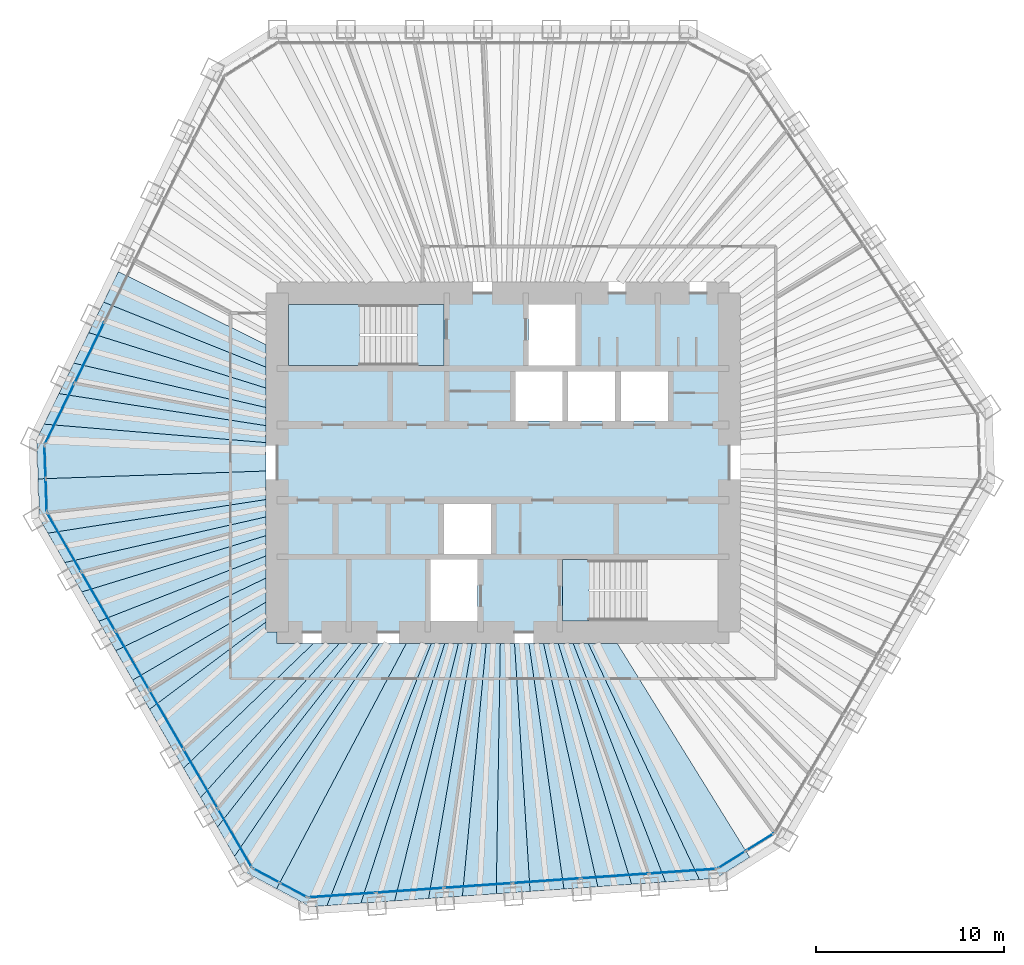
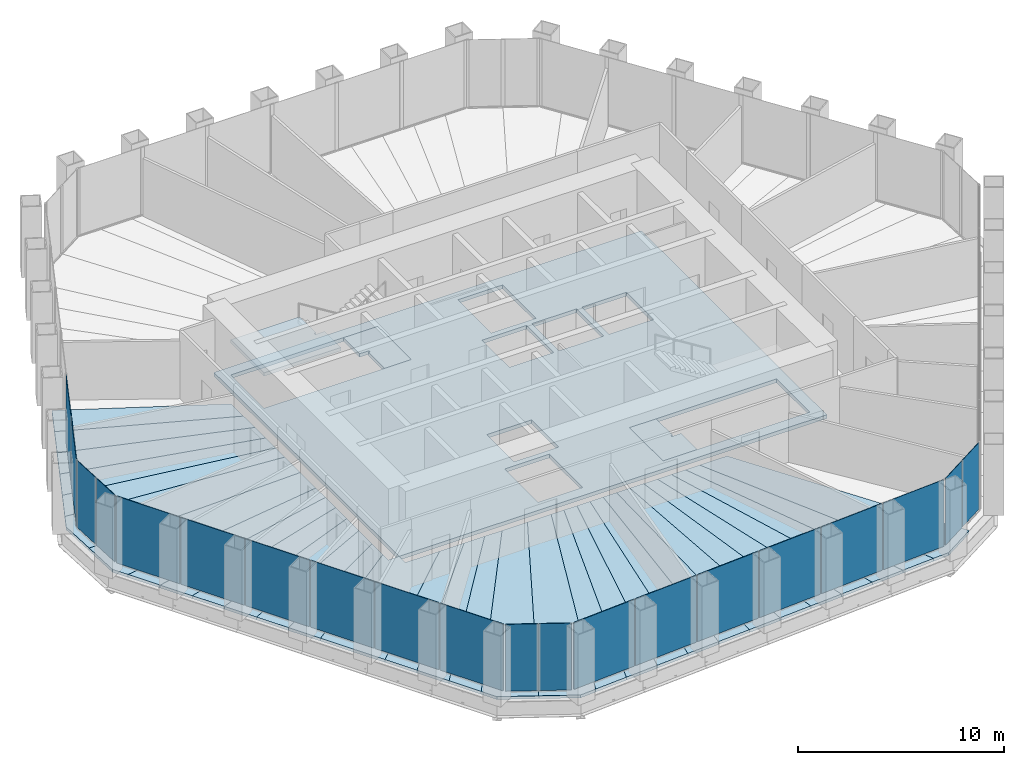
# One storey, part 8 of 14: 35 slabs, 20 plates, 8 elements without a shape of their own.
"""IFC4 building model written with IfcOpenShell, lengths in metres."""

from ifc_helpers import new_model, si_unit, direction, frame, origin, origin_2d, place, context, subcontext, project, spatial, polyline, rectangle, outline, extrude, material, layer, layer_set, type_object, element, aggregate, save


model = new_model("IFC4")

# Units and contexts
model_context = context("Model", 3, precision=1e-05, world=origin(), true_north=direction((0.0, 1.0)))
body_context = subcontext(model_context, "Body", "Model", "MODEL_VIEW")
ifc_project = project(units=[si_unit("LENGTHUNIT", "METRE"), si_unit("AREAUNIT", "SQUARE_METRE"), si_unit("VOLUMEUNIT", "CUBIC_METRE"), si_unit("PLANEANGLEUNIT", "RADIAN"), si_unit("MASSUNIT", "GRAM", prefix="KILO")], contexts=[model_context])

# Site, building, storey
site_placement = place(None, origin())
site = spatial("IfcSite", under=ifc_project, at=site_placement, CompositionType="ELEMENT")
building_placement = place(site_placement, origin())
building = spatial("IfcBuilding", under=site, at=building_placement, Name="Qingtian Harvest Tower", CompositionType="ELEMENT")
storey_placement = place(building_placement, frame((0.0, 0.0, 243.39990234375)))
storey = spatial("IfcBuildingStorey", under=building, at=storey_placement, Name="L53", CompositionType="ELEMENT", Elevation=243.39990234375)

# Slabs
ifc_material_1 = material(Name="Concrete fc' 35 MPa", Category="concrete")
ifc_layer_1 = layer(ifc_material_1, 0.169921875)
ifc_layer_set_1 = layer_set([ifc_layer_1], Name="Composite floor slab FS17 170")
slab_type_1 = type_object("IfcSlabType", Name="Composite floor slab FS17 170", PredefinedType="FLOOR", material=ifc_layer_set_1)
slab_1_placement = place(storey_placement, frame((0.0, 0.0, -0.169921875)))
element("IfcSlab", 1, at=slab_1_placement, inside=storey, type_object=slab_type_1, Name="Floor slab L53 panel D01", PredefinedType="FLOOR", context=body_context, shape_type="SweptSolid", body=[
    extrude(outline(polyline([(-24.6865234375, -0.862060546875), (-12.60009765625, -0.443115234375), (-12.60009765625, -1.958984375), (-24.17236328125, -3.742431640625), (-24.612548828125, -2.979736328125), (-24.6865234375, -0.862060546875)])), origin(), (0.0, 0.0, 1.0), 0.169921875),
])
slab_2_placement = place(storey_placement, frame((0.0, 0.0, -0.169921875)))
element("IfcSlab", 2, at=slab_2_placement, inside=storey, type_object=slab_type_1, Name="Floor slab L53 panel D02", PredefinedType="FLOOR", context=body_context, shape_type="SweptSolid", body=[
    extrude(outline(polyline([(-12.60009765625, -2.880126953125), (-23.271484375, -5.302490234375), (-24.17236328125, -3.742431640625), (-12.60009765625, -1.958984375), (-12.60009765625, -2.880126953125)])), origin(), (0.0, 0.0, 1.0), 0.169921875),
])
slab_3_placement = place(storey_placement, frame((0.0, 0.0, -0.169921875)))
element("IfcSlab", 3, at=slab_3_placement, inside=storey, type_object=slab_type_1, Name="Floor slab L53 panel D03", PredefinedType="FLOOR", context=body_context, shape_type="SweptSolid", body=[
    extrude(outline(polyline([(-12.60009765625, -3.87548828125), (-22.370849609375, -6.862548828125), (-23.271484375, -5.302490234375), (-12.60009765625, -2.880126953125), (-12.60009765625, -3.87548828125)])), origin(), (0.0, 0.0, 1.0), 0.169921875),
])
slab_4_placement = place(storey_placement, frame((0.0, 0.0, -0.169921875)))
element("IfcSlab", 4, at=slab_4_placement, inside=storey, type_object=slab_type_1, Name="Floor slab L53 panel D04", PredefinedType="FLOOR", context=body_context, shape_type="SweptSolid", body=[
    extrude(outline(polyline([(-12.60009765625, -4.95458984375), (-21.47021484375, -8.422607421875), (-22.370849609375, -6.862548828125), (-12.60009765625, -3.87548828125), (-12.60009765625, -4.95458984375)])), origin(), (0.0, 0.0, 1.0), 0.169921875),
])
slab_5_placement = place(storey_placement, frame((0.0, 0.0, -0.169921875)))
element("IfcSlab", 5, at=slab_5_placement, inside=storey, type_object=slab_type_1, Name="Floor slab L53 panel D05", PredefinedType="FLOOR", context=body_context, shape_type="SweptSolid", body=[
    extrude(outline(polyline([(-12.60009765625, -6.128173828125), (-20.569580078125, -9.982666015625), (-21.47021484375, -8.422607421875), (-12.60009765625, -4.95458984375), (-12.60009765625, -6.128173828125)])), origin(), (0.0, 0.0, 1.0), 0.169921875),
])
slab_6_placement = place(storey_placement, frame((0.0, 0.0, -0.169921875)))
element("IfcSlab", 6, at=slab_6_placement, inside=storey, type_object=slab_type_1, Name="Floor slab L53 panel D06", PredefinedType="FLOOR", context=body_context, shape_type="SweptSolid", body=[
    extrude(outline(polyline([(-12.60009765625, -7.409423828125), (-19.668701171875, -11.542724609375), (-20.569580078125, -9.982666015625), (-12.60009765625, -6.128173828125), (-12.60009765625, -7.409423828125)])), origin(), (0.0, 0.0, 1.0), 0.169921875),
])
slab_7_placement = place(storey_placement, frame((0.0, 0.0, -0.169921875)))
element("IfcSlab", 7, at=slab_7_placement, inside=storey, type_object=slab_type_1, Name="Floor slab L53 panel D07", PredefinedType="FLOOR", context=body_context, shape_type="SweptSolid", body=[
    extrude(outline(polyline([(-12.60009765625, -8.46435546875), (-18.771728515625, -13.0966796875), (-19.668701171875, -11.542724609375), (-12.60009765625, -7.409423828125), (-12.60009765625, -8.46435546875)])), origin(), (0.0, 0.0, 1.0), 0.169921875),
])
slab_8_placement = place(storey_placement, frame((0.0, 0.0, -0.169921875)))
element("IfcSlab", 8, at=slab_8_placement, inside=storey, type_object=slab_type_1, Name="Floor slab L53 panel D09", PredefinedType="FLOOR", context=body_context, shape_type="SweptSolid", body=[
    extrude(outline(polyline([(-16.967041015625, -16.22216796875), (-18.771728515625, -13.0966796875), (-12.60009765625, -8.46435546875), (-12.60009765625, -9.0), (-12.0, -9.0), (-12.0, -9.60009765625), (-10.07666015625, -9.60009765625), (-16.967041015625, -16.22216796875)])), origin(), (0.0, 0.0, 1.0), 0.169921875),
])
slab_9_placement = place(storey_placement, frame((0.0, 0.0, -0.169921875)))
element("IfcSlab", 9, at=slab_9_placement, inside=storey, type_object=slab_type_1, Name="Floor slab L53 panel D10", PredefinedType="FLOOR", context=body_context, shape_type="SweptSolid", body=[
    extrude(outline(polyline([(-8.700927734375, -9.60009765625), (-16.06640625, -17.7822265625), (-16.967041015625, -16.22216796875), (-10.07666015625, -9.60009765625), (-8.700927734375, -9.60009765625)])), origin(), (0.0, 0.0, 1.0), 0.169921875),
])
slab_10_placement = place(storey_placement, frame((0.0, 0.0, -0.169921875)))
element("IfcSlab", 10, at=slab_10_placement, inside=storey, type_object=slab_type_1, Name="Floor slab L53 panel D11", PredefinedType="FLOOR", context=body_context, shape_type="SweptSolid", body=[
    extrude(outline(polyline([(-7.548095703125, -9.60009765625), (-15.16552734375, -19.34228515625), (-16.06640625, -17.7822265625), (-8.700927734375, -9.60009765625), (-7.548095703125, -9.60009765625)])), origin(), (0.0, 0.0, 1.0), 0.169921875),
])
slab_11_placement = place(storey_placement, frame((0.0, 0.0, -0.169921875)))
element("IfcSlab", 11, at=slab_11_placement, inside=storey, type_object=slab_type_1, Name="Floor slab L53 panel D12", PredefinedType="FLOOR", context=body_context, shape_type="SweptSolid", body=[
    extrude(outline(polyline([(-6.568359375, -9.60009765625), (-14.264892578125, -20.90234375), (-15.16552734375, -19.34228515625), (-7.548095703125, -9.60009765625), (-6.568359375, -9.60009765625)])), origin(), (0.0, 0.0, 1.0), 0.169921875),
])
slab_12_placement = place(storey_placement, frame((0.0, 0.0, -0.169921875)))
element("IfcSlab", 12, at=slab_12_placement, inside=storey, type_object=slab_type_1, Name="Floor slab L53 panel D13", PredefinedType="FLOOR", context=body_context, shape_type="SweptSolid", body=[
    extrude(outline(polyline([(-6.568359375, -9.60009765625), (-5.14501953125, -9.60009765625), (-12.028076171875, -22.620361328125), (-13.82470703125, -21.6650390625), (-14.264892578125, -20.90234375), (-6.568359375, -9.60009765625)])), origin(), (0.0, 0.0, 1.0), 0.169921875),
])
slab_13_placement = place(storey_placement, frame((0.0, 0.0, -0.169921875)))
element("IfcSlab", 13, at=slab_13_placement, inside=storey, type_object=slab_type_1, Name="Floor slab L53 panel D14", PredefinedType="FLOOR", context=body_context, shape_type="SweptSolid", body=[
    extrude(outline(polyline([(-5.14501953125, -9.60009765625), (-3.817138671875, -9.60009765625), (-9.352294921875, -23.5146484375), (-10.23046875, -23.576171875), (-12.028076171875, -22.620361328125), (-5.14501953125, -9.60009765625)])), origin(), (0.0, 0.0, 1.0), 0.169921875),
])
slab_14_placement = place(storey_placement, frame((0.0, 0.0, -0.169921875)))
element("IfcSlab", 14, at=slab_14_placement, inside=storey, type_object=slab_type_1, Name="Floor slab L53 panel D15", PredefinedType="FLOOR", context=body_context, shape_type="SweptSolid", body=[
    extrude(outline(polyline([(-3.10009765625, -9.60009765625), (-7.55517578125, -23.388916015625), (-9.352294921875, -23.5146484375), (-3.817138671875, -9.60009765625), (-3.10009765625, -9.60009765625)])), origin(), (0.0, 0.0, 1.0), 0.169921875),
])
slab_15_placement = place(storey_placement, frame((0.0, 0.0, -0.169921875)))
element("IfcSlab", 15, at=slab_15_placement, inside=storey, type_object=slab_type_1, Name="Floor slab L53 panel D16", PredefinedType="FLOOR", context=body_context, shape_type="SweptSolid", body=[
    extrude(outline(polyline([(-2.375244140625, -9.60009765625), (-5.75830078125, -23.263427734375), (-7.55517578125, -23.388916015625), (-3.10009765625, -9.60009765625), (-2.375244140625, -9.60009765625)])), origin(), (0.0, 0.0, 1.0), 0.169921875),
])
slab_16_placement = place(storey_placement, frame((0.0, 0.0, -0.169921875)))
element("IfcSlab", 16, at=slab_16_placement, inside=storey, type_object=slab_type_1, Name="Floor slab L53 panel D17", PredefinedType="FLOOR", context=body_context, shape_type="SweptSolid", body=[
    extrude(outline(polyline([(-1.642578125, -9.60009765625), (-3.96142578125, -23.1376953125), (-5.75830078125, -23.263427734375), (-2.375244140625, -9.60009765625), (-1.642578125, -9.60009765625)])), origin(), (0.0, 0.0, 1.0), 0.169921875),
])
slab_17_placement = place(storey_placement, frame((0.0, 0.0, -0.169921875)))
element("IfcSlab", 17, at=slab_17_placement, inside=storey, type_object=slab_type_1, Name="Floor slab L53 panel D18", PredefinedType="FLOOR", context=body_context, shape_type="SweptSolid", body=[
    extrude(outline(polyline([(-0.90185546875, -9.60009765625), (-2.164306640625, -23.011962890625), (-3.96142578125, -23.1376953125), (-1.642578125, -9.60009765625), (-0.90185546875, -9.60009765625)])), origin(), (0.0, 0.0, 1.0), 0.169921875),
])
slab_18_placement = place(storey_placement, frame((0.0, 0.0, -0.169921875)))
element("IfcSlab", 18, at=slab_18_placement, inside=storey, type_object=slab_type_1, Name="Floor slab L53 panel D19", PredefinedType="FLOOR", context=body_context, shape_type="SweptSolid", body=[
    extrude(outline(polyline([(-0.153076171875, -9.60009765625), (-0.367431640625, -22.886474609375), (-2.164306640625, -23.011962890625), (-0.90185546875, -9.60009765625), (-0.153076171875, -9.60009765625)])), origin(), (0.0, 0.0, 1.0), 0.169921875),
])
slab_19_placement = place(storey_placement, frame((0.0, 0.0, -0.169921875)))
element("IfcSlab", 19, at=slab_19_placement, inside=storey, type_object=slab_type_1, Name="Floor slab L53 panel D20", PredefinedType="FLOOR", context=body_context, shape_type="SweptSolid", body=[
    extrude(outline(polyline([(0.60400390625, -9.60009765625), (1.4296875, -22.7607421875), (-0.367431640625, -22.886474609375), (-0.153076171875, -9.60009765625), (0.60400390625, -9.60009765625)])), origin(), (0.0, 0.0, 1.0), 0.169921875),
])
slab_20_placement = place(storey_placement, frame((0.0, 0.0, -0.169921875)))
element("IfcSlab", 20, at=slab_20_placement, inside=storey, type_object=slab_type_1, Name="Floor slab L53 panel D21", PredefinedType="FLOOR", context=body_context, shape_type="SweptSolid", body=[
    extrude(outline(polyline([(1.36962890625, -9.60009765625), (3.2265625, -22.635009765625), (1.4296875, -22.7607421875), (0.60400390625, -9.60009765625), (1.36962890625, -9.60009765625)])), origin(), (0.0, 0.0, 1.0), 0.169921875),
])
slab_21_placement = place(storey_placement, frame((0.0, 0.0, -0.169921875)))
element("IfcSlab", 21, at=slab_21_placement, inside=storey, type_object=slab_type_1, Name="Floor slab L53 panel D22", PredefinedType="FLOOR", context=body_context, shape_type="SweptSolid", body=[
    extrude(outline(polyline([(2.1435546875, -9.60009765625), (5.023681640625, -22.509521484375), (3.2265625, -22.635009765625), (1.36962890625, -9.60009765625), (2.1435546875, -9.60009765625)])), origin(), (0.0, 0.0, 1.0), 0.169921875),
])
slab_22_placement = place(storey_placement, frame((0.0, 0.0, -0.169921875)))
element("IfcSlab", 22, at=slab_22_placement, inside=storey, type_object=slab_type_1, Name="Floor slab L53 panel D23", PredefinedType="FLOOR", context=body_context, shape_type="SweptSolid", body=[
    extrude(outline(polyline([(2.92626953125, -9.60009765625), (6.820556640625, -22.3837890625), (5.023681640625, -22.509521484375), (2.1435546875, -9.60009765625), (2.92626953125, -9.60009765625)])), origin(), (0.0, 0.0, 1.0), 0.169921875),
])
slab_23_placement = place(storey_placement, frame((0.0, 0.0, -0.169921875)))
element("IfcSlab", 23, at=slab_23_placement, inside=storey, type_object=slab_type_1, Name="Floor slab L53 panel D24", PredefinedType="FLOOR", context=body_context, shape_type="SweptSolid", body=[
    extrude(outline(polyline([(3.718017578125, -9.60009765625), (8.61767578125, -22.258056640625), (6.820556640625, -22.3837890625), (2.92626953125, -9.60009765625), (3.718017578125, -9.60009765625)])), origin(), (0.0, 0.0, 1.0), 0.169921875),
])
slab_24_placement = place(storey_placement, frame((0.0, 0.0, -0.169921875)))
element("IfcSlab", 24, at=slab_24_placement, inside=storey, type_object=slab_type_1, Name="Floor slab L53 panel D25", PredefinedType="FLOOR", context=body_context, shape_type="SweptSolid", body=[
    extrude(outline(polyline([(4.5185546875, -9.60009765625), (10.41455078125, -22.13232421875), (8.61767578125, -22.258056640625), (3.718017578125, -9.60009765625), (4.5185546875, -9.60009765625)])), origin(), (0.0, 0.0, 1.0), 0.169921875),
])
slab_25_placement = place(storey_placement, frame((0.0, 0.0, -0.169921875)))
element("IfcSlab", 25, at=slab_25_placement, inside=storey, type_object=slab_type_1, Name="Floor slab L53 panel D26", PredefinedType="FLOOR", context=body_context, shape_type="SweptSolid", body=[
    extrude(outline(polyline([(4.5185546875, -9.60009765625), (6.059326171875, -9.60009765625), (13.090576171875, -20.94775390625), (11.292724609375, -22.071044921875), (10.41455078125, -22.13232421875), (4.5185546875, -9.60009765625)])), origin(), (0.0, 0.0, 1.0), 0.169921875),
])
slab_26_placement = place(storey_placement, frame((0.0, 0.0, -0.169921875)))
element("IfcSlab", 26, at=slab_26_placement, inside=storey, type_object=slab_type_1, Name="Floor slab L53 panel D73", PredefinedType="FLOOR", context=body_context, shape_type="SweptSolid", body=[
    extrude(outline(polyline([(-12.60009765625, 5.072509765625), (-21.2158203125, 8.5234375), (-20.426025390625, 10.142578125), (-12.60009765625, 6.268310546875), (-12.60009765625, 5.072509765625)])), origin(), (0.0, 0.0, 1.0), 0.169921875),
])
slab_27_placement = place(storey_placement, frame((0.0, 0.0, -0.169921875)))
element("IfcSlab", 27, at=slab_27_placement, inside=storey, type_object=slab_type_1, Name="Floor slab L53 panel D74", PredefinedType="FLOOR", context=body_context, shape_type="SweptSolid", body=[
    extrude(outline(polyline([(-12.60009765625, 3.962890625), (-22.00537109375, 6.904296875), (-21.2158203125, 8.5234375), (-12.60009765625, 5.072509765625), (-12.60009765625, 3.962890625)])), origin(), (0.0, 0.0, 1.0), 0.169921875),
])
slab_28_placement = place(storey_placement, frame((0.0, 0.0, -0.169921875)))
element("IfcSlab", 28, at=slab_28_placement, inside=storey, type_object=slab_type_1, Name="Floor slab L53 panel D75", PredefinedType="FLOOR", context=body_context, shape_type="SweptSolid", body=[
    extrude(outline(polyline([(-12.60009765625, 2.929931640625), (-22.795166015625, 5.28515625), (-22.00537109375, 6.904296875), (-12.60009765625, 3.962890625), (-12.60009765625, 2.929931640625)])), origin(), (0.0, 0.0, 1.0), 0.169921875),
])
slab_29_placement = place(storey_placement, frame((0.0, 0.0, -0.169921875)))
element("IfcSlab", 29, at=slab_29_placement, inside=storey, type_object=slab_type_1, Name="Floor slab L53 panel D76", PredefinedType="FLOOR", context=body_context, shape_type="SweptSolid", body=[
    extrude(outline(polyline([(-12.60009765625, 1.96630859375), (-23.584716796875, 3.666259765625), (-22.795166015625, 5.28515625), (-12.60009765625, 2.929931640625), (-12.60009765625, 1.96630859375)])), origin(), (0.0, 0.0, 1.0), 0.169921875),
])
slab_30_placement = place(storey_placement, frame((0.0, 0.0, -0.169921875)))
element("IfcSlab", 30, at=slab_30_placement, inside=storey, type_object=slab_type_1, Name="Floor slab L53 panel D77", PredefinedType="FLOOR", context=body_context, shape_type="SweptSolid", body=[
    extrude(outline(polyline([(-12.60009765625, 1.065185546875), (-24.37451171875, 2.047119140625), (-23.584716796875, 3.666259765625), (-12.60009765625, 1.96630859375), (-12.60009765625, 1.065185546875)])), origin(), (0.0, 0.0, 1.0), 0.169921875),
])
slab_31_placement = place(storey_placement, frame((0.0, 0.0, -0.169921875)))
element("IfcSlab", 31, at=slab_31_placement, inside=storey, type_object=slab_type_1, Name="Floor slab L53 panel D78", PredefinedType="FLOOR", context=body_context, shape_type="SweptSolid", body=[
    extrude(outline(polyline([(-12.60009765625, 1.065185546875), (-12.60009765625, -0.443115234375), (-24.6865234375, -0.862060546875), (-24.760498046875, 1.255615234375), (-24.37451171875, 2.047119140625), (-12.60009765625, 1.065185546875)])), origin(), (0.0, 0.0, 1.0), 0.169921875),
])
ifc_material_2 = material(Name="Concrete fc' 35 MPa", Category="concrete")
ifc_layer_2 = layer(ifc_material_2, 0.219970703125)
ifc_layer_set_2 = layer_set([ifc_layer_2], Name="Core floor slab CS22 220")
slab_type_2 = type_object("IfcSlabType", Name="Core floor slab CS22 220", PredefinedType="FLOOR", material=ifc_layer_set_2)
slab_32_placement = place(storey_placement, frame((0.0, 0.0, -0.219970703125)))
element("IfcSlab", 32, at=slab_32_placement, inside=storey, type_object=slab_type_2, Name="Core floor slab L53", PredefinedType="FLOOR", context=body_context, shape_type="SweptSolid", body=[
    extrude(outline(polyline([(-12.0, -9.0), (12.0, -9.0), (12.0, 9.0), (-12.0, 9.0), (-12.0, -9.0)]), holes=[polyline([(-11.39990234375, 5.14990234375), (-3.14990234375, 5.14990234375), (-3.14990234375, 8.39990234375), (-11.39990234375, 8.39990234375), (-11.39990234375, 5.14990234375)]), polyline([(3.14990234375, -8.39990234375), (11.39990234375, -8.39990234375), (11.39990234375, -5.14990234375), (3.14990234375, -5.14990234375), (3.14990234375, -8.39990234375)]), polyline([(1.35009765625, 5.14990234375), (3.85009765625, 5.14990234375), (3.85009765625, 8.39990234375), (1.35009765625, 8.39990234375), (1.35009765625, 5.14990234375)]), polyline([(-3.85009765625, -8.39990234375), (-1.35009765625, -8.39990234375), (-1.35009765625, -5.14990234375), (-3.85009765625, -5.14990234375), (-3.85009765625, -8.39990234375)]), polyline([(0.64990234375, 2.199951171875), (3.14990234375, 2.199951171875), (3.14990234375, 4.85009765625), (0.64990234375, 4.85009765625), (0.64990234375, 2.199951171875)]), polyline([(3.449951171875, 2.199951171875), (5.949951171875, 2.199951171875), (5.949951171875, 4.85009765625), (3.449951171875, 4.85009765625), (3.449951171875, 2.199951171875)]), polyline([(6.25, 2.199951171875), (8.75, 2.199951171875), (8.75, 4.85009765625), (6.25, 4.85009765625), (6.25, 2.199951171875)]), polyline([(-3.14990234375, -4.85009765625), (-0.64990234375, -4.85009765625), (-0.64990234375, -2.199951171875), (-3.14990234375, -2.199951171875), (-3.14990234375, -4.85009765625)])]), origin(), (0.0, 0.0, 1.0), 0.219970703125),
])

# Curtain wall, plates
ifc_material_3 = material(Name="Bronze-anodised aluminium curtain wall", Category="aluminium")
curtain_wall_type = type_object("IfcCurtainWallType", Name="Curtain wall CW4 office", PredefinedType="USERDEFINED", material=ifc_material_3)
curtain_wall_1_placement = place(storey_placement, origin())
curtain_wall_1 = element("IfcCurtainWall", 33, at=curtain_wall_1_placement, inside=storey, type_object=curtain_wall_type, Name="Curtain wall CW4 L53 SEC", ObjectType="RECESSED CURTAIN WALL", PredefinedType="USERDEFINED")
ifc_material_4 = material(Name="Bronze-tinted laminated insulating glass", Category="glass")
ifc_layer_3 = layer(ifc_material_4, 0.030029296875)
ifc_layer_set_3 = layer_set([ifc_layer_3], Name="Glazed panel CWP tinted IGU")
plate_type = type_object("IfcPlateType", Name="Glazed panel CWP tinted IGU", PredefinedType="CURTAIN_PANEL", material=ifc_layer_set_3)
plate_1_placement = place(storey_placement, frame((13.624755859375, -20.1455078125, 0.06494140625), z_axis=(0.0, 0.0, 1.0), x_axis=(-0.848048096156, -0.529919264233, 0.0)))
plate_1 = element("IfcPlate", 34, at=plate_1_placement, type_object=plate_type, Name="CW4 panel 1.1", PredefinedType="CURTAIN_PANEL", context=body_context, shape_type="SweptSolid", body=[
    extrude(rectangle(XDim=1.69287109375, YDim=0.030029296875, at=origin_2d()), origin(), (0.0, 0.0, 1.0), 3.965087890625),
])
plate_2_placement = place(storey_placement, frame((12.134033203125, -21.076904296875, 0.06494140625), z_axis=(0.0, 0.0, 1.0), x_axis=(-0.848048096156, -0.529919264233, 0.0)))
plate_2 = element("IfcPlate", 35, at=plate_2_placement, type_object=plate_type, Name="CW4 panel 2.1", PredefinedType="CURTAIN_PANEL", context=body_context, shape_type="SweptSolid", body=[
    extrude(rectangle(XDim=1.69287109375, YDim=0.030029296875, at=origin_2d()), origin(), (0.0, 0.0, 1.0), 3.965087890625),
])
aggregate(curtain_wall_1, [plate_1, plate_2])

curtain_wall_2_placement = place(storey_placement, origin())
curtain_wall_2 = element("IfcCurtainWall", 36, at=curtain_wall_2_placement, inside=storey, type_object=curtain_wall_type, Name="Curtain wall CW4 L53 S0-5", ObjectType="RECESSED CURTAIN WALL", PredefinedType="USERDEFINED")
plate_3_placement = place(storey_placement, frame((9.532470703125, -21.68798828125, 0.06494140625), z_axis=(0.0, 0.0, 1.0), x_axis=(-0.99756405026, -0.069756473744, 0.0)))
plate_3 = element("IfcPlate", 37, at=plate_3_placement, type_object=plate_type, Name="CW4 panel 1.1", PredefinedType="CURTAIN_PANEL", context=body_context, shape_type="SweptSolid", body=[
    extrude(rectangle(XDim=3.5361328125, YDim=0.030029296875, at=origin_2d()), origin(), (0.0, 0.0, 1.0), 3.965087890625),
])
plate_4_placement = place(storey_placement, frame((5.923828125, -21.940185546875, 0.06494140625), z_axis=(0.0, 0.0, 1.0), x_axis=(-0.99756405026, -0.069756473744, 0.0)))
plate_4 = element("IfcPlate", 38, at=plate_4_placement, type_object=plate_type, Name="CW4 panel 2.1", PredefinedType="CURTAIN_PANEL", context=body_context, shape_type="SweptSolid", body=[
    extrude(rectangle(XDim=3.568603515625, YDim=0.030029296875, at=origin_2d()), origin(), (0.0, 0.0, 1.0), 3.965087890625),
])
plate_5_placement = place(storey_placement, frame((2.299072265625, -22.193603515625, 0.06494140625), z_axis=(0.0, 0.0, 1.0), x_axis=(-0.99756405026, -0.069756473744, 0.0)))
plate_5 = element("IfcPlate", 39, at=plate_5_placement, type_object=plate_type, Name="CW4 panel 3.1", PredefinedType="CURTAIN_PANEL", context=body_context, shape_type="SweptSolid", body=[
    extrude(rectangle(XDim=3.568603515625, YDim=0.030029296875, at=origin_2d()), origin(), (0.0, 0.0, 1.0), 3.965087890625),
])
plate_6_placement = place(storey_placement, frame((-1.325439453125, -22.447021484375, 0.06494140625), z_axis=(0.0, 0.0, 1.0), x_axis=(-0.99756405026, -0.069756473744, 0.0)))
plate_6 = element("IfcPlate", 40, at=plate_6_placement, type_object=plate_type, Name="CW4 panel 4.1", PredefinedType="CURTAIN_PANEL", context=body_context, shape_type="SweptSolid", body=[
    extrude(rectangle(XDim=3.568603515625, YDim=0.030029296875, at=origin_2d()), origin(), (0.0, 0.0, 1.0), 3.965087890625),
])
plate_7_placement = place(storey_placement, frame((-4.9501953125, -22.70068359375, 0.06494140625), z_axis=(0.0, 0.0, 1.0), x_axis=(-0.99756405026, -0.069756473744, 0.0)))
plate_7 = element("IfcPlate", 41, at=plate_7_placement, type_object=plate_type, Name="CW4 panel 5.1", PredefinedType="CURTAIN_PANEL", context=body_context, shape_type="SweptSolid", body=[
    extrude(rectangle(XDim=3.568603515625, YDim=0.030029296875, at=origin_2d()), origin(), (0.0, 0.0, 1.0), 3.965087890625),
])
plate_8_placement = place(storey_placement, frame((-8.55859375, -22.952880859375, 0.06494140625), z_axis=(0.0, 0.0, 1.0), x_axis=(-0.99756405026, -0.069756473744, 0.0)))
plate_8 = element("IfcPlate", 42, at=plate_8_placement, type_object=plate_type, Name="CW4 panel 6.1", PredefinedType="CURTAIN_PANEL", context=body_context, shape_type="SweptSolid", body=[
    extrude(rectangle(XDim=3.5361328125, YDim=0.030029296875, at=origin_2d()), origin(), (0.0, 0.0, 1.0), 3.965087890625),
])
aggregate(curtain_wall_2, [plate_3, plate_4, plate_5, plate_6, plate_7, plate_8])

curtain_wall_3_placement = place(storey_placement, origin())
curtain_wall_3 = element("IfcCurtainWall", 43, at=curtain_wall_3_placement, inside=storey, type_object=curtain_wall_type, Name="Curtain wall CW4 L53 SC", ObjectType="RECESSED CURTAIN WALL", PredefinedType="USERDEFINED")
plate_9_placement = place(storey_placement, frame((-11.136474609375, -22.682373046875, 0.06494140625), z_axis=(0.0, 0.0, 1.0), x_axis=(-0.882947592859, 0.469471562786, 0.0)))
plate_9 = element("IfcPlate", 44, at=plate_9_placement, type_object=plate_type, Name="CW4 panel 1.1", PredefinedType="CURTAIN_PANEL", context=body_context, shape_type="SweptSolid", body=[
    extrude(rectangle(XDim=1.56689453125, YDim=0.030029296875, at=origin_2d()), origin(), (0.0, 0.0, 1.0), 3.965087890625),
])
plate_10_placement = place(storey_placement, frame((-12.5771484375, -21.916259765625, 0.06494140625), z_axis=(0.0, 0.0, 1.0), x_axis=(-0.882947592859, 0.469471562786, 0.0)))
plate_10 = element("IfcPlate", 45, at=plate_10_placement, type_object=plate_type, Name="CW4 panel 2.1", PredefinedType="CURTAIN_PANEL", context=body_context, shape_type="SweptSolid", body=[
    extrude(rectangle(XDim=1.56689453125, YDim=0.030029296875, at=origin_2d()), origin(), (0.0, 0.0, 1.0), 3.965087890625),
])
aggregate(curtain_wall_3, [plate_9, plate_10])

curtain_wall_4_placement = place(storey_placement, origin())
curtain_wall_4 = element("IfcCurtainWall", 46, at=curtain_wall_4_placement, inside=storey, type_object=curtain_wall_type, Name="Curtain wall CW4 L53 SW0-5", ObjectType="RECESSED CURTAIN WALL", PredefinedType="USERDEFINED")
plate_11_placement = place(storey_placement, frame((-14.242919921875, -19.9306640625, 0.06494140625), z_axis=(0.0, 0.0, 1.0), x_axis=(-0.5, 0.866025403784, 0.0)))
plate_11 = element("IfcPlate", 47, at=plate_11_placement, type_object=plate_type, Name="CW4 panel 1.1", PredefinedType="CURTAIN_PANEL", context=body_context, shape_type="SweptSolid", body=[
    extrude(rectangle(XDim=3.5361328125, YDim=0.030029296875, at=origin_2d()), origin(), (0.0, 0.0, 1.0), 3.965087890625),
])
plate_12_placement = place(storey_placement, frame((-16.051513671875, -16.7978515625, 0.06494140625), z_axis=(0.0, 0.0, 1.0), x_axis=(-0.5, 0.866025403784, 0.0)))
plate_12 = element("IfcPlate", 48, at=plate_12_placement, type_object=plate_type, Name="CW4 panel 2.1", PredefinedType="CURTAIN_PANEL", context=body_context, shape_type="SweptSolid", body=[
    extrude(rectangle(XDim=3.568603515625, YDim=0.030029296875, at=origin_2d()), origin(), (0.0, 0.0, 1.0), 3.965087890625),
])
plate_13_placement = place(storey_placement, frame((-17.868408203125, -13.651123046875, 0.06494140625), z_axis=(0.0, 0.0, 1.0), x_axis=(-0.5, 0.866025403784, 0.0)))
plate_13 = element("IfcPlate", 49, at=plate_13_placement, type_object=plate_type, Name="CW4 panel 3.1", PredefinedType="CURTAIN_PANEL", context=body_context, shape_type="SweptSolid", body=[
    extrude(rectangle(XDim=3.568603515625, YDim=0.030029296875, at=origin_2d()), origin(), (0.0, 0.0, 1.0), 3.965087890625),
])
plate_14_placement = place(storey_placement, frame((-19.68505859375, -10.50439453125, 0.06494140625), z_axis=(0.0, 0.0, 1.0), x_axis=(-0.5, 0.866025403784, 0.0)))
plate_14 = element("IfcPlate", 50, at=plate_14_placement, type_object=plate_type, Name="CW4 panel 4.1", PredefinedType="CURTAIN_PANEL", context=body_context, shape_type="SweptSolid", body=[
    extrude(rectangle(XDim=3.568603515625, YDim=0.030029296875, at=origin_2d()), origin(), (0.0, 0.0, 1.0), 3.965087890625),
])
plate_15_placement = place(storey_placement, frame((-21.501953125, -7.357666015625, 0.06494140625), z_axis=(0.0, 0.0, 1.0), x_axis=(-0.5, 0.866025403784, 0.0)))
plate_15 = element("IfcPlate", 51, at=plate_15_placement, type_object=plate_type, Name="CW4 panel 5.1", PredefinedType="CURTAIN_PANEL", context=body_context, shape_type="SweptSolid", body=[
    extrude(rectangle(XDim=3.568603515625, YDim=0.030029296875, at=origin_2d()), origin(), (0.0, 0.0, 1.0), 3.965087890625),
])
plate_16_placement = place(storey_placement, frame((-23.310546875, -4.22509765625, 0.06494140625), z_axis=(0.0, 0.0, 1.0), x_axis=(-0.5, 0.866025403784, 0.0)))
plate_16 = element("IfcPlate", 52, at=plate_16_placement, type_object=plate_type, Name="CW4 panel 6.1", PredefinedType="CURTAIN_PANEL", context=body_context, shape_type="SweptSolid", body=[
    extrude(rectangle(XDim=3.5361328125, YDim=0.030029296875, at=origin_2d()), origin(), (0.0, 0.0, 1.0), 3.965087890625),
])
aggregate(curtain_wall_4, [plate_11, plate_12, plate_13, plate_14, plate_15, plate_16])

curtain_wall_5_placement = place(storey_placement, origin())
curtain_wall_5 = element("IfcCurtainWall", 53, at=curtain_wall_5_placement, inside=storey, type_object=curtain_wall_type, Name="Curtain wall CW4 L53 SWC", ObjectType="RECESSED CURTAIN WALL", PredefinedType="USERDEFINED")
plate_17_placement = place(storey_placement, frame((-24.2587890625, -1.7265625, 0.06494140625), z_axis=(0.0, 0.0, 1.0), x_axis=(-0.034899496703, 0.999390827019, 0.0)))
plate_17 = element("IfcPlate", 54, at=plate_17_placement, type_object=plate_type, Name="CW4 panel 1.1", PredefinedType="CURTAIN_PANEL", context=body_context, shape_type="SweptSolid", body=[
    extrude(rectangle(XDim=1.69287109375, YDim=0.030029296875, at=origin_2d()), origin(), (0.0, 0.0, 1.0), 3.965087890625),
])
plate_18_placement = place(storey_placement, frame((-24.320068359375, 0.0302734375, 0.06494140625), z_axis=(0.0, 0.0, 1.0), x_axis=(-0.034899496703, 0.999390827019, 0.0)))
plate_18 = element("IfcPlate", 55, at=plate_18_placement, type_object=plate_type, Name="CW4 panel 2.1", PredefinedType="CURTAIN_PANEL", context=body_context, shape_type="SweptSolid", body=[
    extrude(rectangle(XDim=1.69287109375, YDim=0.030029296875, at=origin_2d()), origin(), (0.0, 0.0, 1.0), 3.965087890625),
])
aggregate(curtain_wall_5, [plate_17, plate_18])

curtain_wall_6_placement = place(storey_placement, origin())
curtain_wall_6 = element("IfcCurtainWall", 56, at=curtain_wall_6_placement, inside=storey, type_object=curtain_wall_type, Name="Curtain wall CW4 L53 NW0-5", ObjectType="RECESSED CURTAIN WALL", PredefinedType="USERDEFINED")
plate_19_placement = place(storey_placement, frame((-23.54833984375, 2.588623046875, 0.06494140625), z_axis=(0.0, 0.0, 1.0), x_axis=(0.438371146789, 0.898794046299, 0.0)))
plate_19 = element("IfcPlate", 57, at=plate_19_placement, type_object=plate_type, Name="CW4 panel 1.1", PredefinedType="CURTAIN_PANEL", context=body_context, shape_type="SweptSolid", body=[
    extrude(rectangle(XDim=3.5361328125, YDim=0.030029296875, at=origin_2d()), origin(), (0.0, 0.0, 1.0), 3.965087890625),
])
plate_20_placement = place(storey_placement, frame((-21.962646484375, 5.83984375, 0.06494140625), z_axis=(0.0, 0.0, 1.0), x_axis=(0.438371146789, 0.898794046299, 0.0)))
plate_20 = element("IfcPlate", 58, at=plate_20_placement, type_object=plate_type, Name="CW4 panel 2.1", PredefinedType="CURTAIN_PANEL", context=body_context, shape_type="SweptSolid", body=[
    extrude(rectangle(XDim=3.568603515625, YDim=0.030029296875, at=origin_2d()), origin(), (0.0, 0.0, 1.0), 3.965087890625),
])
aggregate(curtain_wall_6, [plate_19, plate_20])

# Stair, slabs
ifc_material_5 = material(Name="Concrete fc' 35 MPa", Category="concrete")
stair_type = type_object("IfcStairType", Name="Special stair ST4 4200", PredefinedType="HALF_TURN_STAIR", material=ifc_material_5)
stair_1_placement = place(storey_placement, origin())
stair_1 = element("IfcStair", 59, at=stair_1_placement, inside=storey, type_object=stair_type, Name="Special stair S1 L53", PredefinedType="HALF_TURN_STAIR")
ifc_material_6 = material(Name="Concrete fc' 35 MPa", Category="concrete")
ifc_layer_4 = layer(ifc_material_6, 0.199951171875)
ifc_layer_set_4 = layer_set([ifc_layer_4], Name="Stair landing SL2 200")
slab_type_3 = type_object("IfcSlabType", Name="Stair landing SL2 200", PredefinedType="LANDING", material=ifc_layer_set_4)
slab_33_placement = place(storey_placement, frame((0.0, 0.0, -0.199951171875)))
slab_33 = element("IfcSlab", 60, at=slab_33_placement, type_object=slab_type_3, Name="S1 landing 1", PredefinedType="LANDING", context=body_context, shape_type="SweptSolid", body=[
    extrude(outline(polyline([(-4.64990234375, 5.14990234375), (-4.64990234375, 6.72509765625), (-4.550048828125, 6.72509765625), (-4.550048828125, 6.824951171875), (-5.0849609375, 6.824951171875), (-5.0849609375, 8.39990234375), (-3.14990234375, 8.39990234375), (-3.14990234375, 5.14990234375), (-4.64990234375, 5.14990234375)])), origin(), (0.0, 0.0, 1.0), 0.199951171875),
])
slab_34_placement = place(storey_placement, frame((0.0, 0.0, 1.900146484375)))
slab_34 = element("IfcSlab", 61, at=slab_34_placement, type_object=slab_type_3, Name="S1 landing 2", PredefinedType="LANDING", context=body_context, shape_type="SweptSolid", body=[
    extrude(outline(polyline([(-7.094970703125, 5.14990234375), (-11.39990234375, 5.14990234375), (-11.39990234375, 8.39990234375), (-7.530029296875, 8.39990234375), (-7.530029296875, 6.824951171875), (-7.6298828125, 6.824951171875), (-7.6298828125, 6.72509765625), (-7.094970703125, 6.72509765625), (-7.094970703125, 5.14990234375)])), origin(), (0.0, 0.0, 1.0), 0.199951171875),
])
aggregate(stair_1, [slab_33, slab_34])

# Stair, slab
stair_2_placement = place(storey_placement, origin())
stair_2 = element("IfcStair", 62, at=stair_2_placement, inside=storey, type_object=stair_type, Name="Special stair S2 L53", PredefinedType="HALF_TURN_STAIR")
slab_35_placement = place(storey_placement, frame((0.0, 0.0, -0.199951171875)))
slab_35 = element("IfcSlab", 63, at=slab_35_placement, type_object=slab_type_3, Name="S2 landing 1", PredefinedType="LANDING", context=body_context, shape_type="SweptSolid", body=[
    extrude(outline(polyline([(5.0849609375, -8.39990234375), (3.14990234375, -8.39990234375), (3.14990234375, -5.14990234375), (4.64990234375, -5.14990234375), (4.64990234375, -6.72509765625), (4.550048828125, -6.72509765625), (4.550048828125, -6.824951171875), (5.0849609375, -6.824951171875), (5.0849609375, -8.39990234375)])), origin(), (0.0, 0.0, 1.0), 0.199951171875),
])
aggregate(stair_2, [slab_35])

save(model, "model.ifc")
